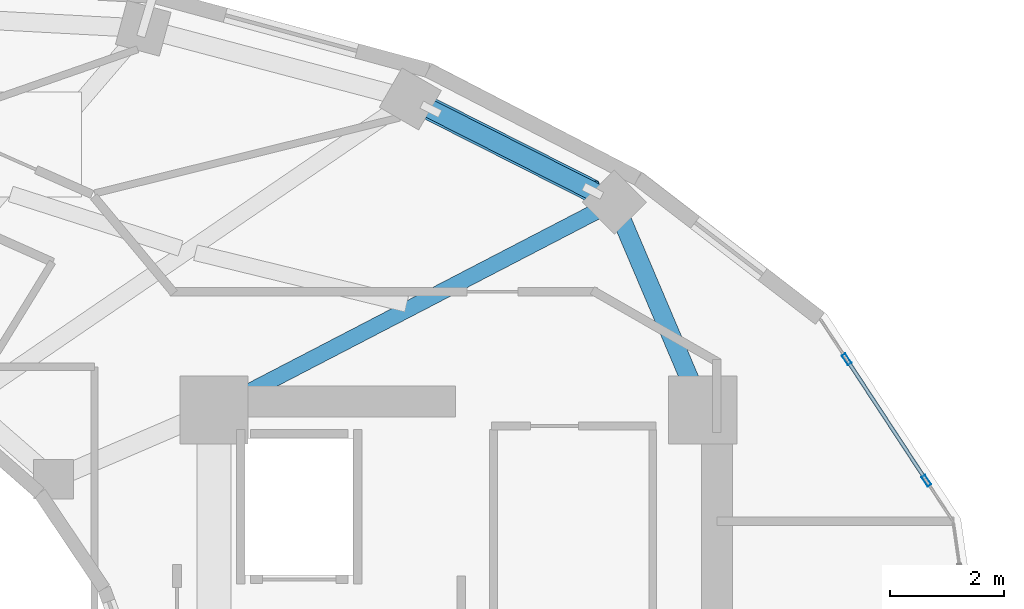
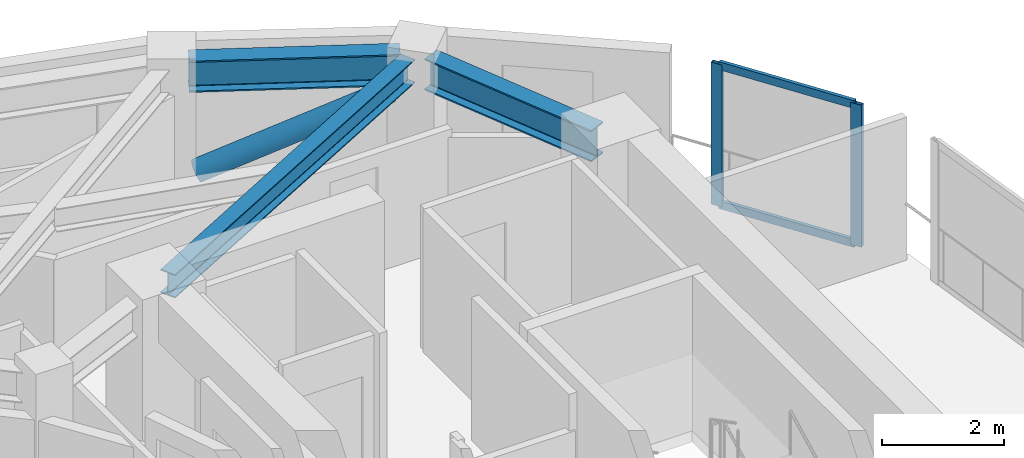
# One storey, part 4 of 12: 5 members, 3 beams, 1 element without a shape of its own.
"""IFC4 building model written with IfcOpenShell, lengths in metres."""

from ifc_helpers import new_model, si_unit, direction, frame, origin, origin_2d, place, context, subcontext, project, spatial, hollow_rectangle, hollow_circle, i_section, extrude, material, layer, layer_set, material_profile, profile_set, type_object, element, aggregate, save


model = new_model("IFC4")

# Units and contexts
model_context = context("Model", 3, precision=1e-05, world=origin(), true_north=direction((0.0, 1.0)))
body_context = subcontext(model_context, "Body", "Model", "MODEL_VIEW")
ifc_project = project(units=[si_unit("LENGTHUNIT", "METRE"), si_unit("AREAUNIT", "SQUARE_METRE"), si_unit("VOLUMEUNIT", "CUBIC_METRE"), si_unit("PLANEANGLEUNIT", "RADIAN"), si_unit("MASSUNIT", "GRAM", prefix="KILO")], contexts=[model_context])

# Site, building, storey
site_placement = place(None, origin())
site = spatial("IfcSite", under=ifc_project, at=site_placement, CompositionType="ELEMENT")
building_placement = place(site_placement, origin())
building = spatial("IfcBuilding", under=site, at=building_placement, Name="Solvane Sanctuary Tower", CompositionType="ELEMENT")
storey_placement = place(building_placement, frame((0.0, 0.0, 214.0)))
storey = spatial("IfcBuildingStorey", under=building, at=storey_placement, Name="L65", CompositionType="ELEMENT", Elevation=214.0)

# Beams
ifc_material_1 = material(Name="Steel ASTM A992 Grade 50", Category="steel")
ifc_material_profile_1 = material_profile(ifc_material_1, i_section(OverallWidth=0.282958984375, OverallDepth=0.471923828125, WebThickness=0.013671875, FlangeThickness=0.022216796875, FilletRadius=0.013916015625, at=origin_2d()), Name="W18X97")
ifc_profile_set_1 = profile_set([ifc_material_profile_1], Name="Steel ASTM A992 Grade 50")
beam_type_1 = type_object("IfcBeamType", Name="Beam B-RAD-Z4 W18X97", PredefinedType="JOIST", material=ifc_profile_set_1)
beam_1_placement = place(storey_placement, frame((40.41943359375, 30.365966796875, 2.64208984375), z_axis=(0.887553429209, 0.460704797348, 0.0), x_axis=(-0.460704797348, 0.887553429209, 0.0)))
element("IfcBeam", 1, at=beam_1_placement, inside=storey, type_object=beam_type_1, Name="L65 Radial Composite Floor Beam 01", PredefinedType="JOIST", context=body_context, shape_type="SweptSolid", body=[
    extrude(i_section(OverallWidth=0.282958984375, OverallDepth=0.471923828125, WebThickness=0.013671875, FlangeThickness=0.022216796875, FilletRadius=0.013916015625, at=origin_2d()), origin(), (0.0, 0.0, 1.0), 7.297607421875),
])
ifc_material_profile_2 = material_profile(ifc_material_1, i_section(OverallWidth=0.327880859375, OverallDepth=0.6279296875, WebThickness=0.0166015625, FlangeThickness=0.027587890625, FilletRadius=0.01611328125, at=origin_2d()), Name="W24X146")
ifc_profile_set_2 = profile_set([ifc_material_profile_2], Name="Steel ASTM A992 Grade 50")
beam_type_2 = type_object("IfcBeamType", Name="Beam B-SPAND-Z3 W24X146", PredefinedType="SPANDREL", material=ifc_profile_set_2)
beam_2_placement = place(storey_placement, frame((43.804931640625, 35.54638671875, 2.56396484375), z_axis=(0.892344822899, -0.451354314308, 0.0), x_axis=(0.451354314308, 0.892344822899, 0.0)))
element("IfcBeam", 2, at=beam_2_placement, inside=storey, type_object=beam_type_2, Name="L65 Perimeter Spandrel Beam TC02-TC01", PredefinedType="SPANDREL", context=body_context, shape_type="SweptSolid", body=[
    extrude(i_section(OverallWidth=0.327880859375, OverallDepth=0.6279296875, WebThickness=0.0166015625, FlangeThickness=0.027587890625, FilletRadius=0.01611328125, at=origin_2d()), origin(), (0.0, 0.0, 1.0), 3.462890625),
])
beam_3_placement = place(storey_placement, frame((47.25439453125, 33.599365234375, 2.56396484375), z_axis=(0.391328410333, -0.920251093597, 0.0), x_axis=(0.920251093597, 0.391328410333, 0.0)))
element("IfcBeam", 3, at=beam_3_placement, inside=storey, type_object=beam_type_2, Name="L65 Perimeter Spandrel Beam TC01-CE3", PredefinedType="SPANDREL", context=body_context, shape_type="SweptSolid", body=[
    extrude(i_section(OverallWidth=0.327880859375, OverallDepth=0.6279296875, WebThickness=0.0166015625, FlangeThickness=0.027587890625, FilletRadius=0.01611328125, at=origin_2d()), origin(), (0.0, 0.0, 1.0), 3.413818359375),
])

# Curtain wall, members
ifc_material_2 = material(Name="Anodised Aluminium 6063-T6", Category="aluminium")
ifc_layer = layer(ifc_material_2, 0.2099609375, Name="Anodised Aluminium 6063-T6")
ifc_layer_set = layer_set([ifc_layer], Name="Anodised Aluminium 6063-T6")
curtain_wall_type = type_object("IfcCurtainWallType", Name="Curtain Wall CW-PORTAL", PredefinedType="NOTDEFINED", material=ifc_layer_set)
curtain_wall_placement = place(storey_placement, origin())
curtain_wall = element("IfcCurtainWall", 4, at=curtain_wall_placement, inside=storey, type_object=curtain_wall_type, Name="L65 CW-PORTAL Facade Run 01", PredefinedType="NOTDEFINED")
ifc_material_profile_3 = material_profile(ifc_material_2, hollow_rectangle(XDim=0.074951171875, YDim=0.199951171875, WallThickness=0.00390625, at=origin_2d()), Name="ALU200X75X4")
ifc_profile_set_3 = profile_set([ifc_material_profile_3], Name="Anodised Aluminium 6063-T6")
member_type_1 = type_object("IfcMemberType", Name="Member M-CW-MUL-1 ALU200X75X4", PredefinedType="MULLION", material=ifc_profile_set_3)
member_1_placement = place(storey_placement, frame((52.634033203125, 28.95556640625, 0.0), z_axis=(0.0, 0.0, 1.0), x_axis=(-0.83595908826, -0.548791766298, 0.0)))
member_1 = element("IfcMember", 5, at=member_1_placement, type_object=member_type_1, Name="CW-PORTAL mullion 1", PredefinedType="MULLION", context=body_context, shape_type="SweptSolid", body=[
    extrude(hollow_rectangle(XDim=0.074951171875, YDim=0.199951171875, WallThickness=0.00390625, at=origin_2d()), origin(), (0.0, 0.0, 1.0), 2.840087890625),
])
member_2_placement = place(storey_placement, frame((51.2314453125, 31.09228515625, 0.0), z_axis=(0.0, 0.0, 1.0), x_axis=(-0.83595908826, -0.548791766298, 0.0)))
member_2 = element("IfcMember", 6, at=member_2_placement, type_object=member_type_1, Name="CW-PORTAL mullion 2", PredefinedType="MULLION", context=body_context, shape_type="SweptSolid", body=[
    extrude(hollow_rectangle(XDim=0.074951171875, YDim=0.199951171875, WallThickness=0.00390625, at=origin_2d()), origin(), (0.0, 0.0, 1.0), 2.840087890625),
])
ifc_material_profile_4 = material_profile(ifc_material_2, hollow_rectangle(XDim=0.06494140625, YDim=0.159912109375, WallThickness=0.00341796875, at=origin_2d()), Name="ALU160X65X3.5")
ifc_profile_set_4 = profile_set([ifc_material_profile_4], Name="Anodised Aluminium 6063-T6")
member_type_2 = type_object("IfcMemberType", Name="Member M-CW-TRN-1 ALU160X65X3.5", PredefinedType="USERDEFINED", material=ifc_profile_set_4)
member_3_placement = place(storey_placement, frame((52.613525390625, 28.987060546875, 0.032470703125), z_axis=(-0.5488498942, 0.835920925469, 0.0), x_axis=(-0.835920925469, -0.5488498942, 0.0)))
member_3 = element("IfcMember", 7, at=member_3_placement, type_object=member_type_2, Name="CW-PORTAL transom 1.1", ObjectType="TRANSOM", PredefinedType="USERDEFINED", context=body_context, shape_type="SweptSolid", body=[
    extrude(hollow_rectangle(XDim=0.06494140625, YDim=0.159912109375, WallThickness=0.00341796875, at=origin_2d()), origin(), (0.0, 0.0, 1.0), 2.480712890625),
])
member_4_placement = place(storey_placement, frame((52.613525390625, 28.987060546875, 2.8076171875), z_axis=(-0.5488498942, 0.835920925469, 0.0), x_axis=(-0.835920925469, -0.5488498942, 0.0)))
member_4 = element("IfcMember", 8, at=member_4_placement, type_object=member_type_2, Name="CW-PORTAL transom 1.2", ObjectType="TRANSOM", PredefinedType="USERDEFINED", context=body_context, shape_type="SweptSolid", body=[
    extrude(hollow_rectangle(XDim=0.06494140625, YDim=0.159912109375, WallThickness=0.00341796875, at=origin_2d()), origin(), (0.0, 0.0, 1.0), 2.480712890625),
])
aggregate(curtain_wall, [member_1, member_2, member_3, member_4])

# Member
ifc_material_profile_5 = material_profile(ifc_material_1, hollow_circle(Radius=0.202880859375, WallThickness=0.012451171875, at=origin_2d()), Name="CHS406X12.5")
ifc_profile_set_5 = profile_set([ifc_material_profile_5], Name="Steel ASTM A992 Grade 50")
member_type_3 = type_object("IfcMemberType", Name="Member M-TUBE-Z3 CHS406X12.5", PredefinedType="BRACE", material=ifc_profile_set_5)
member_5_placement = place(storey_placement, frame((43.920654296875, 35.48779296875, 0.5703125), z_axis=(0.809168494131, -0.409313786141, 0.4215549461), x_axis=(0.451381225256, 0.892331210642, 0.0)))
element("IfcMember", 9, at=member_5_placement, inside=storey, type_object=member_type_3, Name="L65 Perimeter Braced-Tube Diagonal NE", PredefinedType="BRACE", context=body_context, shape_type="SweptSolid", body=[
    extrude(hollow_circle(Radius=0.202880859375, WallThickness=0.012451171875, at=origin_2d()), origin(), (0.0, 0.0, 1.0), 3.51025390625),
])

save(model, "model.ifc")
